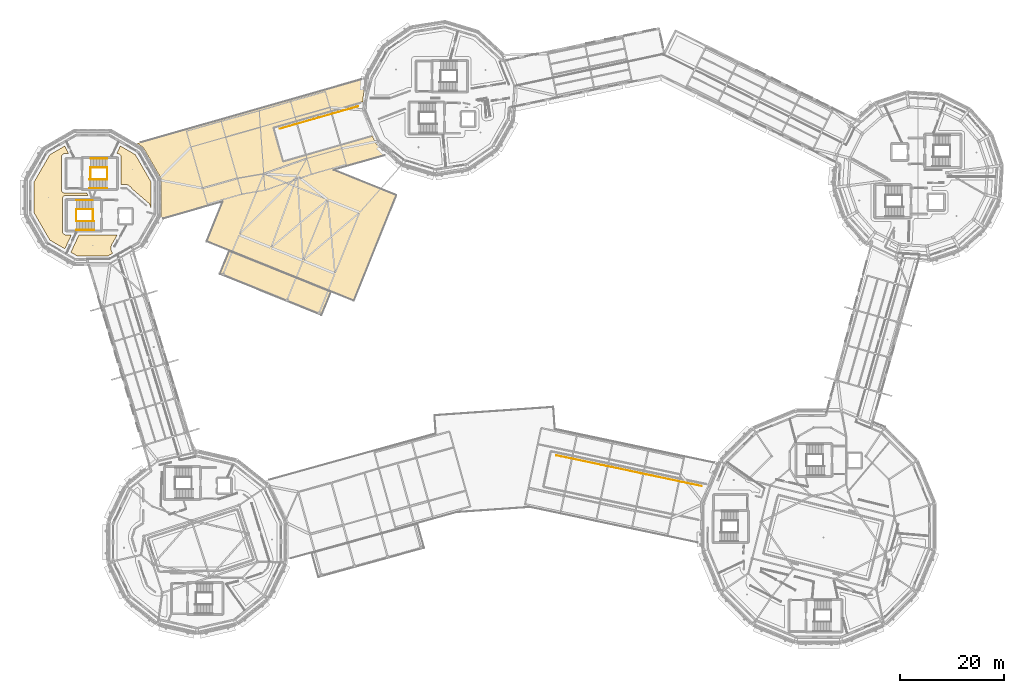
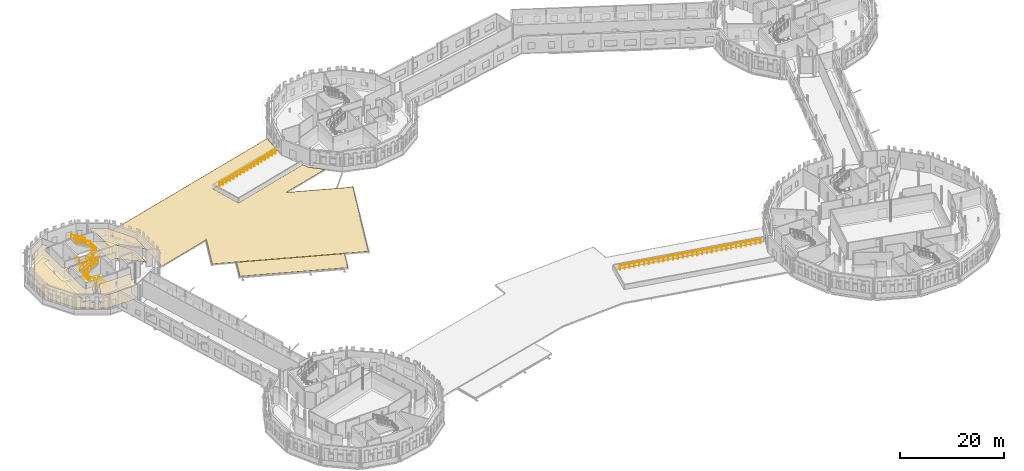
# One storey, part 86 of 90: 14 railings, 8 coverings.
"""IFC4 building model written with IfcOpenShell, lengths in metres."""

from ifc_helpers import new_model, si_unit, direction, frame, origin, origin_2d, place, context, subcontext, project, spatial, polyline, circle, outline, extrude, material, layer, layer_set, type_object, element, save


model = new_model("IFC4")

# Units and contexts
model_context = context("Model", 3, precision=1e-05, world=origin(), true_north=direction((0.0, 1.0)))
body_context = subcontext(model_context, "Body", "Model", "MODEL_VIEW")
ifc_project = project(units=[si_unit("LENGTHUNIT", "METRE"), si_unit("AREAUNIT", "SQUARE_METRE"), si_unit("VOLUMEUNIT", "CUBIC_METRE"), si_unit("PLANEANGLEUNIT", "RADIAN"), si_unit("MASSUNIT", "GRAM", prefix="KILO")], contexts=[model_context])

# Site, building, storey
site_placement = place(None, origin())
site = spatial("IfcSite", under=ifc_project, at=site_placement, CompositionType="ELEMENT")
building_placement = place(site_placement, origin())
building = spatial("IfcBuilding", under=site, at=building_placement, Name="Wrenclough Park School", CompositionType="ELEMENT")
storey_placement = place(building_placement, frame((0.0, 0.0, 8.39990234375)))
storey = spatial("IfcBuildingStorey", under=building, at=storey_placement, Name="L02", CompositionType="ELEMENT", Elevation=8.39990234375)

# Railings
ifc_material_1 = material(Name="Galvanised powder-coated steel and laminated glass balustrade", Category="steel")
railing_type_1 = type_object("IfcRailingType", Name="ENV-BAL-PD", PredefinedType="BALUSTRADE", material=ifc_material_1)
railing_1_placement = place(storey_placement, frame((133.11865234375, 34.218994140625, 0.0)))
element("IfcRailing", 1, at=railing_1_placement, inside=storey, type_object=railing_type_1, Name="Play deck PD-1 planted-zone balustrade", PredefinedType="BALUSTRADE", context=body_context, shape_type="SweptSolid", body=[
    extrude(circle(Radius=0.02392578125, at=origin_2d()), frame((0.0, 0.0, 1.1259765625), z_axis=(-0.978348968165, 0.206962065341, 0.0), x_axis=(-0.206962065341, -0.978348968165, 0.0)), (0.0, 0.0, 1.0), 28.45654296875),
    extrude(circle(Radius=0.02099609375, at=origin_2d()), origin(), (0.0, 0.0, 1.0), 1.101806640625),
    extrude(circle(Radius=0.02099609375, at=origin_2d()), frame((-0.9599609375, 0.203125, 0.0)), (0.0, 0.0, 1.0), 1.101806640625),
    extrude(circle(Radius=0.02099609375, at=origin_2d()), frame((-1.919921875, 0.40625, 0.0)), (0.0, 0.0, 1.0), 1.101806640625),
    extrude(circle(Radius=0.02099609375, at=origin_2d()), frame((-2.880126953125, 0.609130859375, 0.0)), (0.0, 0.0, 1.0), 1.101806640625),
    extrude(circle(Radius=0.02099609375, at=origin_2d()), frame((-3.840087890625, 0.812255859375, 0.0)), (0.0, 0.0, 1.0), 1.101806640625),
    extrude(circle(Radius=0.02099609375, at=origin_2d()), frame((-4.800048828125, 1.015380859375, 0.0)), (0.0, 0.0, 1.0), 1.101806640625),
    extrude(circle(Radius=0.02099609375, at=origin_2d()), frame((-5.760009765625, 1.218505859375, 0.0)), (0.0, 0.0, 1.0), 1.101806640625),
    extrude(circle(Radius=0.02099609375, at=origin_2d()), frame((-6.719970703125, 1.421630859375, 0.0)), (0.0, 0.0, 1.0), 1.101806640625),
    extrude(circle(Radius=0.02099609375, at=origin_2d()), frame((-7.68017578125, 1.624755859375, 0.0)), (0.0, 0.0, 1.0), 1.101806640625),
    extrude(circle(Radius=0.02099609375, at=origin_2d()), frame((-8.64013671875, 1.82763671875, 0.0)), (0.0, 0.0, 1.0), 1.101806640625),
    extrude(circle(Radius=0.02099609375, at=origin_2d()), frame((-9.60009765625, 2.03076171875, 0.0)), (0.0, 0.0, 1.0), 1.101806640625),
    extrude(circle(Radius=0.02099609375, at=origin_2d()), frame((-10.56005859375, 2.23388671875, 0.0)), (0.0, 0.0, 1.0), 1.101806640625),
    extrude(circle(Radius=0.02099609375, at=origin_2d()), frame((-11.52001953125, 2.43701171875, 0.0)), (0.0, 0.0, 1.0), 1.101806640625),
    extrude(circle(Radius=0.02099609375, at=origin_2d()), frame((-12.480224609375, 2.64013671875, 0.0)), (0.0, 0.0, 1.0), 1.101806640625),
    extrude(circle(Radius=0.02099609375, at=origin_2d()), frame((-13.440185546875, 2.84326171875, 0.0)), (0.0, 0.0, 1.0), 1.101806640625),
    extrude(circle(Radius=0.02099609375, at=origin_2d()), frame((-14.400146484375, 3.046142578125, 0.0)), (0.0, 0.0, 1.0), 1.101806640625),
    extrude(circle(Radius=0.02099609375, at=origin_2d()), frame((-15.360107421875, 3.249267578125, 0.0)), (0.0, 0.0, 1.0), 1.101806640625),
    extrude(circle(Radius=0.02099609375, at=origin_2d()), frame((-16.3203125, 3.452392578125, 0.0)), (0.0, 0.0, 1.0), 1.101806640625),
    extrude(circle(Radius=0.02099609375, at=origin_2d()), frame((-17.2802734375, 3.655517578125, 0.0)), (0.0, 0.0, 1.0), 1.101806640625),
    extrude(circle(Radius=0.02099609375, at=origin_2d()), frame((-18.240234375, 3.858642578125, 0.0)), (0.0, 0.0, 1.0), 1.101806640625),
    extrude(circle(Radius=0.02099609375, at=origin_2d()), frame((-19.2001953125, 4.061767578125, 0.0)), (0.0, 0.0, 1.0), 1.101806640625),
    extrude(circle(Radius=0.02099609375, at=origin_2d()), frame((-20.16015625, 4.2646484375, 0.0)), (0.0, 0.0, 1.0), 1.101806640625),
    extrude(circle(Radius=0.02099609375, at=origin_2d()), frame((-21.120361328125, 4.4677734375, 0.0)), (0.0, 0.0, 1.0), 1.101806640625),
    extrude(circle(Radius=0.02099609375, at=origin_2d()), frame((-22.080322265625, 4.6708984375, 0.0)), (0.0, 0.0, 1.0), 1.101806640625),
    extrude(circle(Radius=0.02099609375, at=origin_2d()), frame((-23.040283203125, 4.8740234375, 0.0)), (0.0, 0.0, 1.0), 1.101806640625),
    extrude(circle(Radius=0.02099609375, at=origin_2d()), frame((-24.000244140625, 5.0771484375, 0.0)), (0.0, 0.0, 1.0), 1.101806640625),
    extrude(circle(Radius=0.02099609375, at=origin_2d()), frame((-24.960205078125, 5.2802734375, 0.0)), (0.0, 0.0, 1.0), 1.101806640625),
    extrude(circle(Radius=0.02099609375, at=origin_2d()), frame((-25.92041015625, 5.483154296875, 0.0)), (0.0, 0.0, 1.0), 1.101806640625),
    extrude(circle(Radius=0.02099609375, at=origin_2d()), frame((-26.88037109375, 5.686279296875, 0.0)), (0.0, 0.0, 1.0), 1.101806640625),
    extrude(circle(Radius=0.02099609375, at=origin_2d()), frame((-27.84033203125, 5.889404296875, 0.0)), (0.0, 0.0, 1.0), 1.101806640625),
])
railing_2_placement = place(storey_placement, frame((67.303466796875, 106.927490234375, 0.0)))
element("IfcRailing", 2, at=railing_2_placement, inside=storey, type_object=railing_type_1, Name="Play deck PD-3 planted-zone balustrade", PredefinedType="BALUSTRADE", context=body_context, shape_type="SweptSolid", body=[
    extrude(circle(Radius=0.02392578125, at=origin_2d()), frame((0.0, 0.0, 1.1259765625), z_axis=(-0.961171403377, -0.275952048969, 0.0), x_axis=(0.275952048969, -0.961171403377, 0.0)), (0.0, 0.0, 1.0), 15.53125),
    extrude(circle(Radius=0.02099609375, at=origin_2d()), origin(), (0.0, 0.0, 1.0), 1.101806640625),
    extrude(circle(Radius=0.02099609375, at=origin_2d()), frame((-0.93310546875, -0.267822265625, 0.0)), (0.0, 0.0, 1.0), 1.101806640625),
    extrude(circle(Radius=0.02099609375, at=origin_2d()), frame((-1.865966796875, -0.53564453125, 0.0)), (0.0, 0.0, 1.0), 1.101806640625),
    extrude(circle(Radius=0.02099609375, at=origin_2d()), frame((-2.799072265625, -0.8037109375, 0.0)), (0.0, 0.0, 1.0), 1.101806640625),
    extrude(circle(Radius=0.02099609375, at=origin_2d()), frame((-3.73193359375, -1.071533203125, 0.0)), (0.0, 0.0, 1.0), 1.101806640625),
    extrude(circle(Radius=0.02099609375, at=origin_2d()), frame((-4.6650390625, -1.33935546875, 0.0)), (0.0, 0.0, 1.0), 1.101806640625),
    extrude(circle(Radius=0.02099609375, at=origin_2d()), frame((-5.59814453125, -1.607177734375, 0.0)), (0.0, 0.0, 1.0), 1.101806640625),
    extrude(circle(Radius=0.02099609375, at=origin_2d()), frame((-6.531005859375, -1.875, 0.0)), (0.0, 0.0, 1.0), 1.101806640625),
    extrude(circle(Radius=0.02099609375, at=origin_2d()), frame((-7.464111328125, -2.14306640625, 0.0)), (0.0, 0.0, 1.0), 1.101806640625),
    extrude(circle(Radius=0.02099609375, at=origin_2d()), frame((-8.397216796875, -2.410888671875, 0.0)), (0.0, 0.0, 1.0), 1.101806640625),
    extrude(circle(Radius=0.02099609375, at=origin_2d()), frame((-9.330078125, -2.6787109375, 0.0)), (0.0, 0.0, 1.0), 1.101806640625),
    extrude(circle(Radius=0.02099609375, at=origin_2d()), frame((-10.26318359375, -2.946533203125, 0.0)), (0.0, 0.0, 1.0), 1.101806640625),
    extrude(circle(Radius=0.02099609375, at=origin_2d()), frame((-11.1962890625, -3.21435546875, 0.0)), (0.0, 0.0, 1.0), 1.101806640625),
    extrude(circle(Radius=0.02099609375, at=origin_2d()), frame((-12.129150390625, -3.482177734375, 0.0)), (0.0, 0.0, 1.0), 1.101806640625),
    extrude(circle(Radius=0.02099609375, at=origin_2d()), frame((-13.062255859375, -3.750244140625, 0.0)), (0.0, 0.0, 1.0), 1.101806640625),
    extrude(circle(Radius=0.02099609375, at=origin_2d()), frame((-13.9951171875, -4.01806640625, 0.0)), (0.0, 0.0, 1.0), 1.101806640625),
    extrude(circle(Radius=0.02099609375, at=origin_2d()), frame((-14.92822265625, -4.285888671875, 0.0)), (0.0, 0.0, 1.0), 1.101806640625),
])

# Coverings
ifc_material_2 = material(Name="Patinated copper-alloy standing-seam eave cladding", Category="aluminium")
ifc_layer_1 = layer(ifc_material_2, 0.044921875)
ifc_layer_set_1 = layer_set([ifc_layer_1], Name="Patinated copper-alloy standing-seam eave cladding")
covering_type_1 = type_object("IfcCoveringType", Name="ENV-COV-EAVE", PredefinedType="CLADDING", material=ifc_layer_set_1)
covering_1_placement = place(storey_placement, origin())
element("IfcCovering", 3, at=covering_1_placement, inside=storey, type_object=covering_type_1, Name="Patinated copper overhanging eave cladding EAVE-W34-L02", PredefinedType="CLADDING", context=body_context, shape_type="SweptSolid", body=[
    extrude(outline(polyline([(74.676513671875, 89.912353515625), (62.635009765625, 94.77734375), (73.01806640625, 97.743896484375), (70.630126953125, 99.927490234375), (70.100341796875, 101.24365234375), (52.9365234375, 96.317138671875), (51.04736328125, 102.864013671875), (68.24658203125, 107.81640625), (68.547119140625, 112.274658203125), (24.984375, 99.828125), (26.1572265625, 99.14599609375), (29.68408203125, 93.035400390625), (29.686279296875, 85.974853515625), (29.26953125, 85.244384765625), (41.40380859375, 88.711181640625), (38.323486328125, 81.087646484375), (66.510009765625, 69.69970703125), (74.676513671875, 89.912353515625)])), origin(), (0.0, 0.0, 1.0), 0.045166015625),
])
covering_2_placement = place(storey_placement, origin())
element("IfcCovering", 4, at=covering_2_placement, inside=storey, type_object=covering_type_1, Name="Patinated copper overhanging eave cladding EAVE-COURTYARD", PredefinedType="CLADDING", context=body_context, shape_type="SweptSolid", body=[
    extrude(outline(polyline([(62.1259765625, 71.3955078125), (42.655029296875, 79.26220703125), (40.864501953125, 74.830078125), (60.33544921875, 66.96337890625), (62.1259765625, 71.3955078125)])), origin(), (0.0, 0.0, 1.0), 0.045166015625),
])
ifc_material_3 = material(Name="Class A mineral-fibre acoustic ceiling raft", Category="gypsum")
ifc_layer_2 = layer(ifc_material_3, 0.044921875)
ifc_layer_set_2 = layer_set([ifc_layer_2], Name="Class A mineral-fibre acoustic ceiling raft")
covering_type_2 = type_object("IfcCoveringType", Name="INT-COV-CEIL", PredefinedType="CEILING", material=ifc_layer_set_2)
covering_3_placement = place(storey_placement, frame((0.0, 0.0, 3.05517578125)))
element("IfcCovering", 5, at=covering_3_placement, inside=storey, type_object=covering_type_2, Name="Fine Art Studio North acoustic ceiling raft", PredefinedType="CEILING", context=body_context, shape_type="SweptSolid", body=[
    extrude(outline(polyline([(11.3798828125, 89.8701171875), (15.6103515625, 89.8701171875), (15.395751953125, 90.330078125), (11.1162109375, 90.3330078125), (10.9912109375, 90.35791015625), (10.931396484375, 90.37939453125), (10.81884765625, 90.439453125), (10.767578125, 90.4775390625), (10.677490234375, 90.567626953125), (10.639404296875, 90.618896484375), (10.57958984375, 90.731201171875), (10.54248046875, 90.853271484375), (10.530029296875, 90.97998046875), (10.530029296875, 97.219970703125), (10.54248046875, 97.3466796875), (10.57958984375, 97.46875), (10.639404296875, 97.5810546875), (10.677490234375, 97.63232421875), (10.767578125, 97.722412109375), (10.81884765625, 97.760498046875), (10.931396484375, 97.820556640625), (11.05322265625, 97.857421875), (11.1162109375, 97.866943359375), (11.8798828125, 97.8701171875), (11.19384765625, 99.34130859375), (8.318603515625, 97.681396484375), (5.32421875, 92.494384765625), (5.32421875, 86.505615234375), (8.318603515625, 81.318603515625), (11.19384765625, 79.65869140625), (12.439453125, 82.330078125), (11.3798828125, 82.330078125), (11.253173828125, 82.342529296875), (11.19140625, 82.35791015625), (11.13134765625, 82.37939453125), (11.018798828125, 82.439453125), (10.967529296875, 82.4775390625), (10.87744140625, 82.567626953125), (10.839599609375, 82.618896484375), (10.779541015625, 82.731201171875), (10.758056640625, 82.791259765625), (10.733154296875, 82.916259765625), (10.733154296875, 89.28369140625), (10.758056640625, 89.40869140625), (10.806884765625, 89.5263671875), (10.87744140625, 89.63232421875), (10.967529296875, 89.722412109375), (11.073486328125, 89.793212890625), (11.19140625, 89.842041015625), (11.253173828125, 89.857421875), (11.3798828125, 89.8701171875)])), origin(), (0.0, 0.0, 1.0), 0.044921875),
])
covering_4_placement = place(storey_placement, frame((0.0, 0.0, 3.05517578125)))
element("IfcCovering", 6, at=covering_4_placement, inside=storey, type_object=covering_type_2, Name="Ceramics and Sculpture Art Studio acoustic ceiling raft", PredefinedType="CEILING", context=body_context, shape_type="SweptSolid", body=[
    extrude(outline(polyline([(21.211669921875, 82.330078125), (13.89599609375, 82.330078125), (12.34130859375, 78.996337890625), (13.505615234375, 78.32421875), (19.494384765625, 78.32421875), (20.329833984375, 78.806396484375), (20.28125, 78.881103515625), (20.1171875, 79.189453125), (20.09228515625, 79.263671875), (20.025634765625, 79.525390625), (20.0068359375, 79.78076171875), (20.006591796875, 79.8564453125), (20.015380859375, 79.931884765625), (20.07861328125, 80.27001953125), (20.10302734375, 80.3388671875), (20.135009765625, 80.404541015625), (21.211669921875, 82.330078125)])), origin(), (0.0, 0.0, 1.0), 0.044921875),
])
covering_5_placement = place(storey_placement, frame((0.0, 0.0, 3.05517578125)))
element("IfcCovering", 7, at=covering_5_placement, inside=storey, type_object=covering_type_2, Name="Graphic Design Classroom acoustic ceiling raft", PredefinedType="CEILING", context=body_context, shape_type="SweptSolid", body=[
    extrude(outline(polyline([(21.969970703125, 97.219970703125), (21.969970703125, 91.9765625), (22.05126953125, 91.991455078125), (22.12060546875, 91.99609375), (22.69873046875, 92.0009765625), (22.806640625, 91.98388671875), (23.183349609375, 91.891845703125), (23.24462890625, 91.87353515625), (23.360595703125, 91.8193359375), (23.77392578125, 91.515625), (23.857177734375, 91.42578125), (24.0244140625, 91.164306640625), (27.230712890625, 88.423095703125), (27.28369140625, 88.372314453125), (27.330810546875, 88.31591796875), (27.37109375, 88.25439453125), (27.523681640625, 87.990234375), (27.571044921875, 87.88916015625), (27.6005859375, 87.781494140625), (27.67578125, 87.34521484375), (27.67578125, 92.494384765625), (24.681396484375, 97.681396484375), (21.80615234375, 99.34130859375), (21.1201171875, 97.8701171875), (21.320068359375, 97.8701171875), (21.44677734375, 97.857421875), (21.568603515625, 97.820556640625), (21.68115234375, 97.760498046875), (21.732421875, 97.722412109375), (21.822509765625, 97.63232421875), (21.893310546875, 97.5263671875), (21.94189453125, 97.40869140625), (21.95751953125, 97.3466796875), (21.969970703125, 97.219970703125)])), origin(), (0.0, 0.0, 1.0), 0.044921875),
])
ifc_material_4 = material(Name="Acoustic natural linoleum school flooring", Category="wood")
ifc_layer_3 = layer(ifc_material_4, 0.014892578125)
ifc_layer_set_3 = layer_set([ifc_layer_3], Name="Acoustic natural linoleum school flooring")
covering_type_3 = type_object("IfcCoveringType", Name="INT-COV-FLOOR1", PredefinedType="FLOORING", material=ifc_layer_set_3)
covering_6_placement = place(storey_placement, origin())
element("IfcCovering", 8, at=covering_6_placement, inside=storey, type_object=covering_type_3, Name="Fine Art Studio North floor finish", PredefinedType="FLOORING", context=body_context, shape_type="SweptSolid", body=[
    extrude(outline(polyline([(11.3798828125, 89.8701171875), (15.6103515625, 89.8701171875), (15.395751953125, 90.330078125), (11.1162109375, 90.3330078125), (10.9912109375, 90.35791015625), (10.931396484375, 90.37939453125), (10.81884765625, 90.439453125), (10.767578125, 90.4775390625), (10.677490234375, 90.567626953125), (10.639404296875, 90.618896484375), (10.57958984375, 90.731201171875), (10.54248046875, 90.853271484375), (10.530029296875, 90.97998046875), (10.530029296875, 97.219970703125), (10.54248046875, 97.3466796875), (10.57958984375, 97.46875), (10.639404296875, 97.5810546875), (10.677490234375, 97.63232421875), (10.767578125, 97.722412109375), (10.81884765625, 97.760498046875), (10.931396484375, 97.820556640625), (11.05322265625, 97.857421875), (11.1162109375, 97.866943359375), (11.8798828125, 97.8701171875), (11.19384765625, 99.34130859375), (8.318603515625, 97.681396484375), (5.32421875, 92.494384765625), (5.32421875, 86.505615234375), (8.318603515625, 81.318603515625), (11.19384765625, 79.65869140625), (12.439453125, 82.330078125), (11.3798828125, 82.330078125), (11.253173828125, 82.342529296875), (11.19140625, 82.35791015625), (11.13134765625, 82.37939453125), (11.018798828125, 82.439453125), (10.967529296875, 82.4775390625), (10.87744140625, 82.567626953125), (10.839599609375, 82.618896484375), (10.779541015625, 82.731201171875), (10.758056640625, 82.791259765625), (10.733154296875, 82.916259765625), (10.733154296875, 89.28369140625), (10.758056640625, 89.40869140625), (10.806884765625, 89.5263671875), (10.87744140625, 89.63232421875), (10.967529296875, 89.722412109375), (11.073486328125, 89.793212890625), (11.19140625, 89.842041015625), (11.253173828125, 89.857421875), (11.3798828125, 89.8701171875)])), origin(), (0.0, 0.0, 1.0), 0.01513671875),
])
covering_7_placement = place(storey_placement, origin())
element("IfcCovering", 9, at=covering_7_placement, inside=storey, type_object=covering_type_3, Name="Ceramics and Sculpture Art Studio floor finish", PredefinedType="FLOORING", context=body_context, shape_type="SweptSolid", body=[
    extrude(outline(polyline([(21.211669921875, 82.330078125), (13.89599609375, 82.330078125), (12.34130859375, 78.996337890625), (13.505615234375, 78.32421875), (19.494384765625, 78.32421875), (20.329833984375, 78.806396484375), (20.28125, 78.881103515625), (20.1171875, 79.189453125), (20.09228515625, 79.263671875), (20.025634765625, 79.525390625), (20.0068359375, 79.78076171875), (20.006591796875, 79.8564453125), (20.015380859375, 79.931884765625), (20.07861328125, 80.27001953125), (20.10302734375, 80.3388671875), (20.135009765625, 80.404541015625), (21.211669921875, 82.330078125)])), origin(), (0.0, 0.0, 1.0), 0.01513671875),
])
covering_8_placement = place(storey_placement, origin())
element("IfcCovering", 10, at=covering_8_placement, inside=storey, type_object=covering_type_3, Name="Graphic Design Classroom floor finish", PredefinedType="FLOORING", context=body_context, shape_type="SweptSolid", body=[
    extrude(outline(polyline([(21.969970703125, 97.219970703125), (21.969970703125, 91.9765625), (22.05126953125, 91.991455078125), (22.12060546875, 91.99609375), (22.69873046875, 92.0009765625), (22.806640625, 91.98388671875), (23.183349609375, 91.891845703125), (23.24462890625, 91.87353515625), (23.360595703125, 91.8193359375), (23.77392578125, 91.515625), (23.857177734375, 91.42578125), (24.0244140625, 91.164306640625), (27.230712890625, 88.423095703125), (27.28369140625, 88.372314453125), (27.330810546875, 88.31591796875), (27.37109375, 88.25439453125), (27.523681640625, 87.990234375), (27.571044921875, 87.88916015625), (27.6005859375, 87.781494140625), (27.67578125, 87.34521484375), (27.67578125, 92.494384765625), (24.681396484375, 97.681396484375), (21.80615234375, 99.34130859375), (21.1201171875, 97.8701171875), (21.320068359375, 97.8701171875), (21.44677734375, 97.857421875), (21.568603515625, 97.820556640625), (21.68115234375, 97.760498046875), (21.732421875, 97.722412109375), (21.822509765625, 97.63232421875), (21.893310546875, 97.5263671875), (21.94189453125, 97.40869140625), (21.95751953125, 97.3466796875), (21.969970703125, 97.219970703125)])), origin(), (0.0, 0.0, 1.0), 0.01513671875),
])

# Railings
ifc_material_5 = material(Name="Powder-coated steel vertical-baluster stair and atrium guard", Category="steel")
railing_type_2 = type_object("IfcRailingType", Name="INT-RL-GD1120", PredefinedType="GUARDRAIL", material=ifc_material_5)
railing_3_placement = place(storey_placement, frame((16.594970703125, 84.949951171875, 0.0)))
element("IfcRailing", 11, at=railing_3_placement, inside=storey, type_object=railing_type_2, Name="ST-03 L02 well guard 1", PredefinedType="GUARDRAIL", context=body_context, shape_type="SweptSolid", body=[
    extrude(circle(Radius=0.02392578125, at=origin_2d()), frame((0.0, 0.0, 1.09619140625), z_axis=(0.0, 1.0, 0.0), x_axis=(-1.0, 0.0, 0.0)), (0.0, 0.0, 1.0), 2.300048828125),
    extrude(circle(Radius=0.02099609375, at=origin_2d()), origin(), (0.0, 0.0, 1.0), 1.072021484375),
    extrude(circle(Radius=0.02099609375, at=origin_2d()), frame((0.0, 0.7666015625, 0.0)), (0.0, 0.0, 1.0), 1.072021484375),
    extrude(circle(Radius=0.02099609375, at=origin_2d()), frame((0.0, 1.533447265625, 0.0)), (0.0, 0.0, 1.0), 1.072021484375),
    extrude(circle(Radius=0.02099609375, at=origin_2d()), frame((0.0, 2.300048828125, 0.0)), (0.0, 0.0, 1.0), 1.072021484375),
])
railing_4_placement = place(storey_placement, frame((16.840087890625, 84.949951171875, 0.168212890625)))
element("IfcRailing", 12, at=railing_4_placement, inside=storey, type_object=railing_type_2, Name="ST-03 L02 well guard 2", PredefinedType="GUARDRAIL", context=body_context, shape_type="SweptSolid", body=[
    extrude(circle(Radius=0.02392578125, at=origin_2d()), frame((0.0, 0.0, 1.09619140625), z_axis=(-0.861492827544, 0.0, 0.507769739242), x_axis=(0.0, -1.0, 0.0)), (0.0, 0.0, 1.0), 3.969970703125),
    extrude(circle(Radius=0.02099609375, at=origin_2d()), origin(), (0.0, 0.0, 1.0), 1.072021484375),
    extrude(circle(Radius=0.02099609375, at=origin_2d()), frame((-0.85498046875, 0.0, 0.50390625)), (0.0, 0.0, 1.0), 1.072021484375),
    extrude(circle(Radius=0.02099609375, at=origin_2d()), frame((-1.7099609375, 0.0, 1.0078125)), (0.0, 0.0, 1.0), 1.072021484375),
    extrude(circle(Radius=0.02099609375, at=origin_2d()), frame((-2.565185546875, 0.0, 1.511962890625)), (0.0, 0.0, 1.0), 1.072021484375),
    extrude(circle(Radius=0.02099609375, at=origin_2d()), frame((-3.420166015625, 0.0, 2.015869140625)), (0.0, 0.0, 1.0), 1.072021484375),
])
railing_5_placement = place(storey_placement, frame((13.3798828125, 84.949951171875, 2.18408203125)))
element("IfcRailing", 13, at=railing_5_placement, inside=storey, type_object=railing_type_2, Name="ST-03 L02 well guard 3", PredefinedType="GUARDRAIL", context=body_context, shape_type="SweptSolid", body=[
    extrude(circle(Radius=0.02392578125, at=origin_2d()), frame((0.0, 0.0, 1.09619140625), z_axis=(0.0, 1.0, 0.0), x_axis=(-1.0, 0.0, 0.0)), (0.0, 0.0, 1.0), 2.300048828125),
    extrude(circle(Radius=0.02099609375, at=origin_2d()), origin(), (0.0, 0.0, 1.0), 1.072021484375),
    extrude(circle(Radius=0.02099609375, at=origin_2d()), frame((0.0, 0.7666015625, 0.0)), (0.0, 0.0, 1.0), 1.072021484375),
    extrude(circle(Radius=0.02099609375, at=origin_2d()), frame((0.0, 1.533447265625, 0.0)), (0.0, 0.0, 1.0), 1.072021484375),
    extrude(circle(Radius=0.02099609375, at=origin_2d()), frame((0.0, 2.300048828125, 0.0)), (0.0, 0.0, 1.0), 1.072021484375),
])
railing_6_placement = place(storey_placement, frame((13.419921875, 87.25, 2.35205078125)))
element("IfcRailing", 14, at=railing_6_placement, inside=storey, type_object=railing_type_2, Name="ST-03 L02 well guard 4", PredefinedType="GUARDRAIL", context=body_context, shape_type="SweptSolid", body=[
    extrude(circle(Radius=0.02392578125, at=origin_2d()), frame((0.0, 0.0, 1.09619140625), z_axis=(0.861450943231, 0.0, 0.507840794351), x_axis=(0.0, 1.0, 0.0)), (0.0, 0.0, 1.0), 3.63916015625),
    extrude(circle(Radius=0.02099609375, at=origin_2d()), origin(), (0.0, 0.0, 1.0), 1.072021484375),
    extrude(circle(Radius=0.02099609375, at=origin_2d()), frame((0.78369140625, 0.0, 0.4619140625)), (0.0, 0.0, 1.0), 1.072021484375),
    extrude(circle(Radius=0.02099609375, at=origin_2d()), frame((1.5673828125, 0.0, 0.924072265625)), (0.0, 0.0, 1.0), 1.072021484375),
    extrude(circle(Radius=0.02099609375, at=origin_2d()), frame((2.351318359375, 0.0, 1.38623046875)), (0.0, 0.0, 1.0), 1.072021484375),
    extrude(circle(Radius=0.02099609375, at=origin_2d()), frame((3.135009765625, 0.0, 1.84814453125)), (0.0, 0.0, 1.0), 1.072021484375),
])
railing_7_placement = place(storey_placement, frame((16.10498046875, 92.949951171875, 0.0)))
element("IfcRailing", 15, at=railing_7_placement, inside=storey, type_object=railing_type_2, Name="ST-07 L02 well guard 1", PredefinedType="GUARDRAIL", context=body_context, shape_type="SweptSolid", body=[
    extrude(circle(Radius=0.02392578125, at=origin_2d()), frame((0.0, 0.0, 1.09619140625), z_axis=(0.0, 1.0, 0.0), x_axis=(-1.0, 0.0, 0.0)), (0.0, 0.0, 1.0), 2.300048828125),
    extrude(circle(Radius=0.02099609375, at=origin_2d()), origin(), (0.0, 0.0, 1.0), 1.072021484375),
    extrude(circle(Radius=0.02099609375, at=origin_2d()), frame((0.0, 0.7666015625, 0.0)), (0.0, 0.0, 1.0), 1.072021484375),
    extrude(circle(Radius=0.02099609375, at=origin_2d()), frame((0.0, 1.533447265625, 0.0)), (0.0, 0.0, 1.0), 1.072021484375),
    extrude(circle(Radius=0.02099609375, at=origin_2d()), frame((0.0, 2.300048828125, 0.0)), (0.0, 0.0, 1.0), 1.072021484375),
])
railing_8_placement = place(storey_placement, frame((15.860107421875, 92.949951171875, 0.168212890625)))
element("IfcRailing", 16, at=railing_8_placement, inside=storey, type_object=railing_type_2, Name="ST-07 L02 well guard 2", PredefinedType="GUARDRAIL", context=body_context, shape_type="SweptSolid", body=[
    extrude(circle(Radius=0.02392578125, at=origin_2d()), frame((0.0, 0.0, 1.09619140625), z_axis=(0.861476970849, 0.0, 0.507796641084), x_axis=(0.0, 1.0, 0.0)), (0.0, 0.0, 1.0), 3.9697265625),
    extrude(circle(Radius=0.02099609375, at=origin_2d()), origin(), (0.0, 0.0, 1.0), 1.072021484375),
    extrude(circle(Radius=0.02099609375, at=origin_2d()), frame((0.85498046875, 0.0, 0.50390625)), (0.0, 0.0, 1.0), 1.072021484375),
    extrude(circle(Radius=0.02099609375, at=origin_2d()), frame((1.7099609375, 0.0, 1.0078125)), (0.0, 0.0, 1.0), 1.072021484375),
    extrude(circle(Radius=0.02099609375, at=origin_2d()), frame((2.56494140625, 0.0, 1.511962890625)), (0.0, 0.0, 1.0), 1.072021484375),
    extrude(circle(Radius=0.02099609375, at=origin_2d()), frame((3.419921875, 0.0, 2.015869140625)), (0.0, 0.0, 1.0), 1.072021484375),
])
railing_9_placement = place(storey_placement, frame((19.320068359375, 92.949951171875, 2.18408203125)))
element("IfcRailing", 17, at=railing_9_placement, inside=storey, type_object=railing_type_2, Name="ST-07 L02 well guard 3", PredefinedType="GUARDRAIL", context=body_context, shape_type="SweptSolid", body=[
    extrude(circle(Radius=0.02392578125, at=origin_2d()), frame((0.0, 0.0, 1.09619140625), z_axis=(0.0, 1.0, 0.0), x_axis=(-1.0, 0.0, 0.0)), (0.0, 0.0, 1.0), 2.300048828125),
    extrude(circle(Radius=0.02099609375, at=origin_2d()), origin(), (0.0, 0.0, 1.0), 1.072021484375),
    extrude(circle(Radius=0.02099609375, at=origin_2d()), frame((0.0, 0.7666015625, 0.0)), (0.0, 0.0, 1.0), 1.072021484375),
    extrude(circle(Radius=0.02099609375, at=origin_2d()), frame((0.0, 1.533447265625, 0.0)), (0.0, 0.0, 1.0), 1.072021484375),
    extrude(circle(Radius=0.02099609375, at=origin_2d()), frame((0.0, 2.300048828125, 0.0)), (0.0, 0.0, 1.0), 1.072021484375),
])
railing_10_placement = place(storey_placement, frame((19.280029296875, 95.25, 2.35205078125)))
element("IfcRailing", 18, at=railing_10_placement, inside=storey, type_object=railing_type_2, Name="ST-07 L02 well guard 4", PredefinedType="GUARDRAIL", context=body_context, shape_type="SweptSolid", body=[
    extrude(circle(Radius=0.02392578125, at=origin_2d()), frame((0.0, 0.0, 1.09619140625), z_axis=(-0.861450943231, 0.0, 0.507840794351), x_axis=(0.0, -1.0, 0.0)), (0.0, 0.0, 1.0), 3.63916015625),
    extrude(circle(Radius=0.02099609375, at=origin_2d()), origin(), (0.0, 0.0, 1.0), 1.072021484375),
    extrude(circle(Radius=0.02099609375, at=origin_2d()), frame((-0.78369140625, 0.0, 0.4619140625)), (0.0, 0.0, 1.0), 1.072021484375),
    extrude(circle(Radius=0.02099609375, at=origin_2d()), frame((-1.5673828125, 0.0, 0.924072265625)), (0.0, 0.0, 1.0), 1.072021484375),
    extrude(circle(Radius=0.02099609375, at=origin_2d()), frame((-2.351318359375, 0.0, 1.38623046875)), (0.0, 0.0, 1.0), 1.072021484375),
    extrude(circle(Radius=0.02099609375, at=origin_2d()), frame((-3.135009765625, 0.0, 1.84814453125)), (0.0, 0.0, 1.0), 1.072021484375),
])
ifc_material_6 = material(Name="Brushed stainless steel tubular handrail", Category="steel")
railing_type_3 = type_object("IfcRailingType", Name="INT-RL-HR950", PredefinedType="HANDRAIL", material=ifc_material_6)
railing_11_placement = place(storey_placement, frame((16.840087890625, 83.25, 0.168212890625)))
element("IfcRailing", 19, at=railing_11_placement, inside=storey, type_object=railing_type_3, Name="ST-03 L02 pitch handrail 1", PredefinedType="HANDRAIL", context=body_context, shape_type="SweptSolid", body=[
    extrude(circle(Radius=0.02392578125, at=origin_2d()), frame((0.0, 0.0, 0.92578125), z_axis=(-0.861492827544, 0.0, 0.507769739242), x_axis=(0.0, -1.0, 0.0)), (0.0, 0.0, 1.0), 3.969970703125),
    extrude(circle(Radius=0.02099609375, at=origin_2d()), origin(), (0.0, 0.0, 1.0), 0.90185546875),
    extrude(circle(Radius=0.02099609375, at=origin_2d()), frame((-0.85498046875, 0.0, 0.50390625)), (0.0, 0.0, 1.0), 0.90185546875),
    extrude(circle(Radius=0.02099609375, at=origin_2d()), frame((-1.7099609375, 0.0, 1.0078125)), (0.0, 0.0, 1.0), 0.90185546875),
    extrude(circle(Radius=0.02099609375, at=origin_2d()), frame((-2.565185546875, 0.0, 1.511962890625)), (0.0, 0.0, 1.0), 0.90185546875),
    extrude(circle(Radius=0.02099609375, at=origin_2d()), frame((-3.420166015625, 0.0, 2.015869140625)), (0.0, 0.0, 1.0), 0.90185546875),
])
railing_12_placement = place(storey_placement, frame((13.419921875, 88.949951171875, 2.35205078125)))
element("IfcRailing", 20, at=railing_12_placement, inside=storey, type_object=railing_type_3, Name="ST-03 L02 pitch handrail 2", PredefinedType="HANDRAIL", context=body_context, shape_type="SweptSolid", body=[
    extrude(circle(Radius=0.02392578125, at=origin_2d()), frame((0.0, 0.0, 0.92578125), z_axis=(0.861450943231, 0.0, 0.507840794351), x_axis=(0.0, 1.0, 0.0)), (0.0, 0.0, 1.0), 3.63916015625),
    extrude(circle(Radius=0.02099609375, at=origin_2d()), origin(), (0.0, 0.0, 1.0), 0.90185546875),
    extrude(circle(Radius=0.02099609375, at=origin_2d()), frame((0.78369140625, 0.0, 0.4619140625)), (0.0, 0.0, 1.0), 0.90185546875),
    extrude(circle(Radius=0.02099609375, at=origin_2d()), frame((1.5673828125, 0.0, 0.924072265625)), (0.0, 0.0, 1.0), 0.90185546875),
    extrude(circle(Radius=0.02099609375, at=origin_2d()), frame((2.351318359375, 0.0, 1.38623046875)), (0.0, 0.0, 1.0), 0.90185546875),
    extrude(circle(Radius=0.02099609375, at=origin_2d()), frame((3.135009765625, 0.0, 1.84814453125)), (0.0, 0.0, 1.0), 0.90185546875),
])
railing_13_placement = place(storey_placement, frame((15.860107421875, 91.25, 0.168212890625)))
element("IfcRailing", 21, at=railing_13_placement, inside=storey, type_object=railing_type_3, Name="ST-07 L02 pitch handrail 1", PredefinedType="HANDRAIL", context=body_context, shape_type="SweptSolid", body=[
    extrude(circle(Radius=0.02392578125, at=origin_2d()), frame((0.0, 0.0, 0.92578125), z_axis=(0.861476970849, 0.0, 0.507796641084), x_axis=(0.0, 1.0, 0.0)), (0.0, 0.0, 1.0), 3.9697265625),
    extrude(circle(Radius=0.02099609375, at=origin_2d()), origin(), (0.0, 0.0, 1.0), 0.90185546875),
    extrude(circle(Radius=0.02099609375, at=origin_2d()), frame((0.85498046875, 0.0, 0.50390625)), (0.0, 0.0, 1.0), 0.90185546875),
    extrude(circle(Radius=0.02099609375, at=origin_2d()), frame((1.7099609375, 0.0, 1.0078125)), (0.0, 0.0, 1.0), 0.90185546875),
    extrude(circle(Radius=0.02099609375, at=origin_2d()), frame((2.56494140625, 0.0, 1.511962890625)), (0.0, 0.0, 1.0), 0.90185546875),
    extrude(circle(Radius=0.02099609375, at=origin_2d()), frame((3.419921875, 0.0, 2.015869140625)), (0.0, 0.0, 1.0), 0.90185546875),
])
railing_14_placement = place(storey_placement, frame((19.280029296875, 96.949951171875, 2.35205078125)))
element("IfcRailing", 22, at=railing_14_placement, inside=storey, type_object=railing_type_3, Name="ST-07 L02 pitch handrail 2", PredefinedType="HANDRAIL", context=body_context, shape_type="SweptSolid", body=[
    extrude(circle(Radius=0.02392578125, at=origin_2d()), frame((0.0, 0.0, 0.92578125), z_axis=(-0.861450943231, 0.0, 0.507840794351), x_axis=(0.0, -1.0, 0.0)), (0.0, 0.0, 1.0), 3.63916015625),
    extrude(circle(Radius=0.02099609375, at=origin_2d()), origin(), (0.0, 0.0, 1.0), 0.90185546875),
    extrude(circle(Radius=0.02099609375, at=origin_2d()), frame((-0.78369140625, 0.0, 0.4619140625)), (0.0, 0.0, 1.0), 0.90185546875),
    extrude(circle(Radius=0.02099609375, at=origin_2d()), frame((-1.5673828125, 0.0, 0.924072265625)), (0.0, 0.0, 1.0), 0.90185546875),
    extrude(circle(Radius=0.02099609375, at=origin_2d()), frame((-2.351318359375, 0.0, 1.38623046875)), (0.0, 0.0, 1.0), 0.90185546875),
    extrude(circle(Radius=0.02099609375, at=origin_2d()), frame((-3.135009765625, 0.0, 1.84814453125)), (0.0, 0.0, 1.0), 0.90185546875),
])

save(model, "model.ifc")
